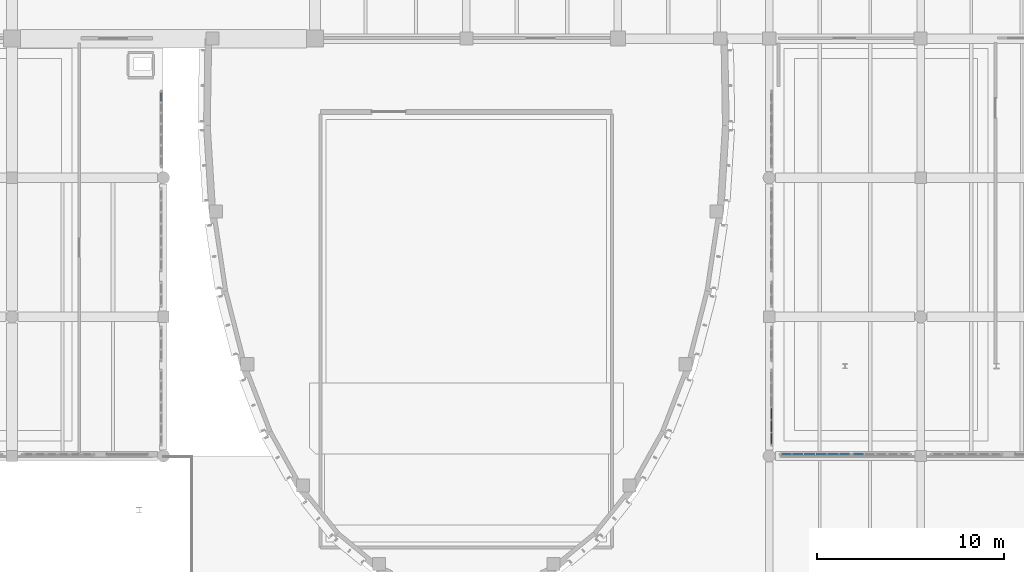
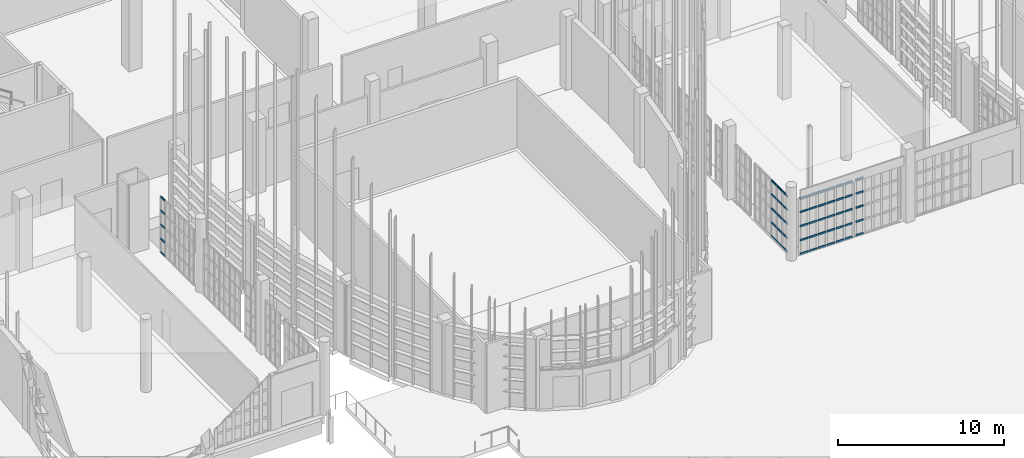
# One storey, part 304 of 372: 55 members, 4 elements without a shape of their own.
"""IFC4 building model written with IfcOpenShell, lengths in metres."""

from ifc_helpers import new_model, si_unit, direction, frame, origin, origin_2d, place, context, subcontext, project, spatial, hollow_rectangle, extrude, material, material_profile, profile_set, type_object, element, aggregate, save


model = new_model("IFC4")

# Units and contexts
model_context = context("Model", 3, precision=1e-05, world=origin(), true_north=direction((0.0, 1.0)))
body_context = subcontext(model_context, "Body", "Model", "MODEL_VIEW")
ifc_project = project(units=[si_unit("LENGTHUNIT", "METRE"), si_unit("AREAUNIT", "SQUARE_METRE"), si_unit("VOLUMEUNIT", "CUBIC_METRE"), si_unit("PLANEANGLEUNIT", "RADIAN"), si_unit("MASSUNIT", "GRAM", prefix="KILO")], contexts=[model_context])

# Site, building, storey
site_placement = place(None, origin())
site = spatial("IfcSite", under=ifc_project, at=site_placement, CompositionType="ELEMENT")
building_placement = place(site_placement, origin())
building = spatial("IfcBuilding", under=site, at=building_placement, Name="Kaelora Sail Theatre", CompositionType="ELEMENT")
storey_placement = place(building_placement, origin())
storey = spatial("IfcBuildingStorey", under=building, at=storey_placement, Name="L00", CompositionType="ELEMENT", Elevation=0.0)

# Curtain wall, members
ifc_material_1 = material(Name="Anodised aluminium and solar-control low-E IGU", Category="aluminium")
curtain_wall_type_1 = type_object("IfcCurtainWallType", Name="ARC-CW-CW-FOY1", PredefinedType="NOTDEFINED", material=ifc_material_1)
curtain_wall_1_placement = place(storey_placement, origin())
curtain_wall_1 = element("IfcCurtainWall", 1, at=curtain_wall_1_placement, inside=storey, type_object=curtain_wall_type_1, Name="West Interstitial Foyer East Glazed Return L00-04", PredefinedType="NOTDEFINED")
ifc_material_2 = material(Name="Anodised aluminium 6063-T6", Category="aluminium")
ifc_material_profile = material_profile(ifc_material_2, hollow_rectangle(XDim=0.070068359375, YDim=0.139892578125, WallThickness=0.00390625, InnerFilletRadius=0.00390625, OuterFilletRadius=0.008056640625, at=origin_2d()), Name="ALU-TRAN 70x140x4")
ifc_profile_set = profile_set([ifc_material_profile], Name="Anodised aluminium 6063-T6")
member_type = type_object("IfcMemberType", Name="ARC-MEM-TR-140", PredefinedType="USERDEFINED", material=ifc_profile_set)
member_1_placement = place(storey_placement, frame((74.280029296875, 57.653564453125, 0.034912109375), z_axis=(0.0, 1.0, 0.0), x_axis=(-1.0, 0.0, 0.0)))
member_1 = element("IfcMember", 2, at=member_1_placement, type_object=member_type, Name="CW-FOY1 transom 7.1", ObjectType="TRANSOM", PredefinedType="USERDEFINED", context=body_context, shape_type="SweptSolid", body=[
    extrude(hollow_rectangle(XDim=0.070068359375, YDim=0.139892578125, WallThickness=0.00390625, InnerFilletRadius=0.00390625, OuterFilletRadius=0.008056640625, at=origin_2d()), origin(), (0.0, 0.0, 1.0), 0.486328125),
])
member_2_placement = place(storey_placement, frame((74.280029296875, 57.653564453125, 1.0341796875), z_axis=(0.0, 1.0, 0.0), x_axis=(-1.0, 0.0, 0.0)))
member_2 = element("IfcMember", 3, at=member_2_placement, type_object=member_type, Name="CW-FOY1 transom 7.2", ObjectType="TRANSOM", PredefinedType="USERDEFINED", context=body_context, shape_type="SweptSolid", body=[
    extrude(hollow_rectangle(XDim=0.070068359375, YDim=0.139892578125, WallThickness=0.00390625, InnerFilletRadius=0.00390625, OuterFilletRadius=0.008056640625, at=origin_2d()), origin(), (0.0, 0.0, 1.0), 0.486328125),
])
member_3_placement = place(storey_placement, frame((74.280029296875, 57.653564453125, 2.068603515625), z_axis=(0.0, 1.0, 0.0), x_axis=(-1.0, 0.0, 0.0)))
member_3 = element("IfcMember", 4, at=member_3_placement, type_object=member_type, Name="CW-FOY1 transom 7.3", ObjectType="TRANSOM", PredefinedType="USERDEFINED", context=body_context, shape_type="SweptSolid", body=[
    extrude(hollow_rectangle(XDim=0.070068359375, YDim=0.139892578125, WallThickness=0.00390625, InnerFilletRadius=0.00390625, OuterFilletRadius=0.008056640625, at=origin_2d()), origin(), (0.0, 0.0, 1.0), 0.486328125),
])
member_4_placement = place(storey_placement, frame((74.280029296875, 57.653564453125, 3.102783203125), z_axis=(0.0, 1.0, 0.0), x_axis=(-1.0, 0.0, 0.0)))
member_4 = element("IfcMember", 5, at=member_4_placement, type_object=member_type, Name="CW-FOY1 transom 7.4", ObjectType="TRANSOM", PredefinedType="USERDEFINED", context=body_context, shape_type="SweptSolid", body=[
    extrude(hollow_rectangle(XDim=0.070068359375, YDim=0.139892578125, WallThickness=0.00390625, InnerFilletRadius=0.00390625, OuterFilletRadius=0.008056640625, at=origin_2d()), origin(), (0.0, 0.0, 1.0), 0.486328125),
])
member_5_placement = place(storey_placement, frame((74.280029296875, 57.653564453125, 4.10205078125), z_axis=(0.0, 1.0, 0.0), x_axis=(-1.0, 0.0, 0.0)))
member_5 = element("IfcMember", 6, at=member_5_placement, type_object=member_type, Name="CW-FOY1 transom 7.5", ObjectType="TRANSOM", PredefinedType="USERDEFINED", context=body_context, shape_type="SweptSolid", body=[
    extrude(hollow_rectangle(XDim=0.070068359375, YDim=0.139892578125, WallThickness=0.00390625, InnerFilletRadius=0.00390625, OuterFilletRadius=0.008056640625, at=origin_2d()), origin(), (0.0, 0.0, 1.0), 0.486328125),
])
aggregate(curtain_wall_1, [member_1, member_2, member_3, member_4, member_5])

ifc_material_3 = material(Name="Anodised aluminium and solar-control low-E IGU", Category="aluminium")
curtain_wall_type_2 = type_object("IfcCurtainWallType", Name="ARC-CW-CW-FOY2", PredefinedType="NOTDEFINED", material=ifc_material_3)
curtain_wall_2_placement = place(storey_placement, origin())
curtain_wall_2 = element("IfcCurtainWall", 7, at=curtain_wall_2_placement, inside=storey, type_object=curtain_wall_type_2, Name="East Interstitial Sail Foyer Curtain Wall L00-01", PredefinedType="NOTDEFINED")
member_6_placement = place(storey_placement, frame((107.445068359375, 38.7900390625, 0.034912109375), z_axis=(1.0, 0.0, 0.0), x_axis=(0.0, 1.0, 0.0)))
member_6 = element("IfcMember", 8, at=member_6_placement, type_object=member_type, Name="CW-FOY2 transom 1.1", ObjectType="TRANSOM", PredefinedType="USERDEFINED", context=body_context, shape_type="SweptSolid", body=[
    extrude(hollow_rectangle(XDim=0.070068359375, YDim=0.139892578125, WallThickness=0.00390625, InnerFilletRadius=0.00390625, OuterFilletRadius=0.008056640625, at=origin_2d()), origin(), (0.0, 0.0, 1.0), 0.537353515625),
])
member_7_placement = place(storey_placement, frame((107.445068359375, 38.7900390625, 1.0341796875), z_axis=(1.0, 0.0, 0.0), x_axis=(0.0, 1.0, 0.0)))
member_7 = element("IfcMember", 9, at=member_7_placement, type_object=member_type, Name="CW-FOY2 transom 1.2", ObjectType="TRANSOM", PredefinedType="USERDEFINED", context=body_context, shape_type="SweptSolid", body=[
    extrude(hollow_rectangle(XDim=0.070068359375, YDim=0.139892578125, WallThickness=0.00390625, InnerFilletRadius=0.00390625, OuterFilletRadius=0.008056640625, at=origin_2d()), origin(), (0.0, 0.0, 1.0), 0.537353515625),
])
member_8_placement = place(storey_placement, frame((107.445068359375, 38.7900390625, 2.068603515625), z_axis=(1.0, 0.0, 0.0), x_axis=(0.0, 1.0, 0.0)))
member_8 = element("IfcMember", 10, at=member_8_placement, type_object=member_type, Name="CW-FOY2 transom 1.3", ObjectType="TRANSOM", PredefinedType="USERDEFINED", context=body_context, shape_type="SweptSolid", body=[
    extrude(hollow_rectangle(XDim=0.070068359375, YDim=0.139892578125, WallThickness=0.00390625, InnerFilletRadius=0.00390625, OuterFilletRadius=0.008056640625, at=origin_2d()), origin(), (0.0, 0.0, 1.0), 0.537353515625),
])
member_9_placement = place(storey_placement, frame((107.445068359375, 38.7900390625, 3.102783203125), z_axis=(1.0, 0.0, 0.0), x_axis=(0.0, 1.0, 0.0)))
member_9 = element("IfcMember", 11, at=member_9_placement, type_object=member_type, Name="CW-FOY2 transom 1.4", ObjectType="TRANSOM", PredefinedType="USERDEFINED", context=body_context, shape_type="SweptSolid", body=[
    extrude(hollow_rectangle(XDim=0.070068359375, YDim=0.139892578125, WallThickness=0.00390625, InnerFilletRadius=0.00390625, OuterFilletRadius=0.008056640625, at=origin_2d()), origin(), (0.0, 0.0, 1.0), 0.537353515625),
])
member_10_placement = place(storey_placement, frame((107.445068359375, 38.7900390625, 4.10205078125), z_axis=(1.0, 0.0, 0.0), x_axis=(0.0, 1.0, 0.0)))
member_10 = element("IfcMember", 12, at=member_10_placement, type_object=member_type, Name="CW-FOY2 transom 1.5", ObjectType="TRANSOM", PredefinedType="USERDEFINED", context=body_context, shape_type="SweptSolid", body=[
    extrude(hollow_rectangle(XDim=0.070068359375, YDim=0.139892578125, WallThickness=0.00390625, InnerFilletRadius=0.00390625, OuterFilletRadius=0.008056640625, at=origin_2d()), origin(), (0.0, 0.0, 1.0), 0.537353515625),
])
member_11_placement = place(storey_placement, frame((108.04248046875, 38.7900390625, 0.034912109375), z_axis=(1.0, 0.0, 0.0), x_axis=(0.0, 1.0, 0.0)))
member_11 = element("IfcMember", 13, at=member_11_placement, type_object=member_type, Name="CW-FOY2 transom 2.1", ObjectType="TRANSOM", PredefinedType="USERDEFINED", context=body_context, shape_type="SweptSolid", body=[
    extrude(hollow_rectangle(XDim=0.070068359375, YDim=0.139892578125, WallThickness=0.00390625, InnerFilletRadius=0.00390625, OuterFilletRadius=0.008056640625, at=origin_2d()), origin(), (0.0, 0.0, 1.0), 0.567626953125),
])
member_12_placement = place(storey_placement, frame((108.04248046875, 38.7900390625, 1.0341796875), z_axis=(1.0, 0.0, 0.0), x_axis=(0.0, 1.0, 0.0)))
member_12 = element("IfcMember", 14, at=member_12_placement, type_object=member_type, Name="CW-FOY2 transom 2.2", ObjectType="TRANSOM", PredefinedType="USERDEFINED", context=body_context, shape_type="SweptSolid", body=[
    extrude(hollow_rectangle(XDim=0.070068359375, YDim=0.139892578125, WallThickness=0.00390625, InnerFilletRadius=0.00390625, OuterFilletRadius=0.008056640625, at=origin_2d()), origin(), (0.0, 0.0, 1.0), 0.567626953125),
])
member_13_placement = place(storey_placement, frame((108.04248046875, 38.7900390625, 2.068603515625), z_axis=(1.0, 0.0, 0.0), x_axis=(0.0, 1.0, 0.0)))
member_13 = element("IfcMember", 15, at=member_13_placement, type_object=member_type, Name="CW-FOY2 transom 2.3", ObjectType="TRANSOM", PredefinedType="USERDEFINED", context=body_context, shape_type="SweptSolid", body=[
    extrude(hollow_rectangle(XDim=0.070068359375, YDim=0.139892578125, WallThickness=0.00390625, InnerFilletRadius=0.00390625, OuterFilletRadius=0.008056640625, at=origin_2d()), origin(), (0.0, 0.0, 1.0), 0.567626953125),
])
member_14_placement = place(storey_placement, frame((108.04248046875, 38.7900390625, 3.102783203125), z_axis=(1.0, 0.0, 0.0), x_axis=(0.0, 1.0, 0.0)))
member_14 = element("IfcMember", 16, at=member_14_placement, type_object=member_type, Name="CW-FOY2 transom 2.4", ObjectType="TRANSOM", PredefinedType="USERDEFINED", context=body_context, shape_type="SweptSolid", body=[
    extrude(hollow_rectangle(XDim=0.070068359375, YDim=0.139892578125, WallThickness=0.00390625, InnerFilletRadius=0.00390625, OuterFilletRadius=0.008056640625, at=origin_2d()), origin(), (0.0, 0.0, 1.0), 0.567626953125),
])
member_15_placement = place(storey_placement, frame((108.04248046875, 38.7900390625, 4.10205078125), z_axis=(1.0, 0.0, 0.0), x_axis=(0.0, 1.0, 0.0)))
member_15 = element("IfcMember", 17, at=member_15_placement, type_object=member_type, Name="CW-FOY2 transom 2.5", ObjectType="TRANSOM", PredefinedType="USERDEFINED", context=body_context, shape_type="SweptSolid", body=[
    extrude(hollow_rectangle(XDim=0.070068359375, YDim=0.139892578125, WallThickness=0.00390625, InnerFilletRadius=0.00390625, OuterFilletRadius=0.008056640625, at=origin_2d()), origin(), (0.0, 0.0, 1.0), 0.567626953125),
])
member_16_placement = place(storey_placement, frame((108.669921875, 38.7900390625, 0.034912109375), z_axis=(1.0, 0.0, 0.0), x_axis=(0.0, 1.0, 0.0)))
member_16 = element("IfcMember", 18, at=member_16_placement, type_object=member_type, Name="CW-FOY2 transom 3.1", ObjectType="TRANSOM", PredefinedType="USERDEFINED", context=body_context, shape_type="SweptSolid", body=[
    extrude(hollow_rectangle(XDim=0.070068359375, YDim=0.139892578125, WallThickness=0.00390625, InnerFilletRadius=0.00390625, OuterFilletRadius=0.008056640625, at=origin_2d()), origin(), (0.0, 0.0, 1.0), 0.567626953125),
])
member_17_placement = place(storey_placement, frame((108.669921875, 38.7900390625, 1.0341796875), z_axis=(1.0, 0.0, 0.0), x_axis=(0.0, 1.0, 0.0)))
member_17 = element("IfcMember", 19, at=member_17_placement, type_object=member_type, Name="CW-FOY2 transom 3.2", ObjectType="TRANSOM", PredefinedType="USERDEFINED", context=body_context, shape_type="SweptSolid", body=[
    extrude(hollow_rectangle(XDim=0.070068359375, YDim=0.139892578125, WallThickness=0.00390625, InnerFilletRadius=0.00390625, OuterFilletRadius=0.008056640625, at=origin_2d()), origin(), (0.0, 0.0, 1.0), 0.567626953125),
])
member_18_placement = place(storey_placement, frame((108.669921875, 38.7900390625, 2.068603515625), z_axis=(1.0, 0.0, 0.0), x_axis=(0.0, 1.0, 0.0)))
member_18 = element("IfcMember", 20, at=member_18_placement, type_object=member_type, Name="CW-FOY2 transom 3.3", ObjectType="TRANSOM", PredefinedType="USERDEFINED", context=body_context, shape_type="SweptSolid", body=[
    extrude(hollow_rectangle(XDim=0.070068359375, YDim=0.139892578125, WallThickness=0.00390625, InnerFilletRadius=0.00390625, OuterFilletRadius=0.008056640625, at=origin_2d()), origin(), (0.0, 0.0, 1.0), 0.567626953125),
])
member_19_placement = place(storey_placement, frame((108.669921875, 38.7900390625, 3.102783203125), z_axis=(1.0, 0.0, 0.0), x_axis=(0.0, 1.0, 0.0)))
member_19 = element("IfcMember", 21, at=member_19_placement, type_object=member_type, Name="CW-FOY2 transom 3.4", ObjectType="TRANSOM", PredefinedType="USERDEFINED", context=body_context, shape_type="SweptSolid", body=[
    extrude(hollow_rectangle(XDim=0.070068359375, YDim=0.139892578125, WallThickness=0.00390625, InnerFilletRadius=0.00390625, OuterFilletRadius=0.008056640625, at=origin_2d()), origin(), (0.0, 0.0, 1.0), 0.567626953125),
])
member_20_placement = place(storey_placement, frame((108.669921875, 38.7900390625, 4.10205078125), z_axis=(1.0, 0.0, 0.0), x_axis=(0.0, 1.0, 0.0)))
member_20 = element("IfcMember", 22, at=member_20_placement, type_object=member_type, Name="CW-FOY2 transom 3.5", ObjectType="TRANSOM", PredefinedType="USERDEFINED", context=body_context, shape_type="SweptSolid", body=[
    extrude(hollow_rectangle(XDim=0.070068359375, YDim=0.139892578125, WallThickness=0.00390625, InnerFilletRadius=0.00390625, OuterFilletRadius=0.008056640625, at=origin_2d()), origin(), (0.0, 0.0, 1.0), 0.567626953125),
])
member_21_placement = place(storey_placement, frame((109.297607421875, 38.7900390625, 0.034912109375), z_axis=(1.0, 0.0, 0.0), x_axis=(0.0, 1.0, 0.0)))
member_21 = element("IfcMember", 23, at=member_21_placement, type_object=member_type, Name="CW-FOY2 transom 4.1", ObjectType="TRANSOM", PredefinedType="USERDEFINED", context=body_context, shape_type="SweptSolid", body=[
    extrude(hollow_rectangle(XDim=0.070068359375, YDim=0.139892578125, WallThickness=0.00390625, InnerFilletRadius=0.00390625, OuterFilletRadius=0.008056640625, at=origin_2d()), origin(), (0.0, 0.0, 1.0), 0.5673828125),
])
member_22_placement = place(storey_placement, frame((109.297607421875, 38.7900390625, 1.0341796875), z_axis=(1.0, 0.0, 0.0), x_axis=(0.0, 1.0, 0.0)))
member_22 = element("IfcMember", 24, at=member_22_placement, type_object=member_type, Name="CW-FOY2 transom 4.2", ObjectType="TRANSOM", PredefinedType="USERDEFINED", context=body_context, shape_type="SweptSolid", body=[
    extrude(hollow_rectangle(XDim=0.070068359375, YDim=0.139892578125, WallThickness=0.00390625, InnerFilletRadius=0.00390625, OuterFilletRadius=0.008056640625, at=origin_2d()), origin(), (0.0, 0.0, 1.0), 0.5673828125),
])
member_23_placement = place(storey_placement, frame((109.297607421875, 38.7900390625, 2.068603515625), z_axis=(1.0, 0.0, 0.0), x_axis=(0.0, 1.0, 0.0)))
member_23 = element("IfcMember", 25, at=member_23_placement, type_object=member_type, Name="CW-FOY2 transom 4.3", ObjectType="TRANSOM", PredefinedType="USERDEFINED", context=body_context, shape_type="SweptSolid", body=[
    extrude(hollow_rectangle(XDim=0.070068359375, YDim=0.139892578125, WallThickness=0.00390625, InnerFilletRadius=0.00390625, OuterFilletRadius=0.008056640625, at=origin_2d()), origin(), (0.0, 0.0, 1.0), 0.5673828125),
])
member_24_placement = place(storey_placement, frame((109.297607421875, 38.7900390625, 3.102783203125), z_axis=(1.0, 0.0, 0.0), x_axis=(0.0, 1.0, 0.0)))
member_24 = element("IfcMember", 26, at=member_24_placement, type_object=member_type, Name="CW-FOY2 transom 4.4", ObjectType="TRANSOM", PredefinedType="USERDEFINED", context=body_context, shape_type="SweptSolid", body=[
    extrude(hollow_rectangle(XDim=0.070068359375, YDim=0.139892578125, WallThickness=0.00390625, InnerFilletRadius=0.00390625, OuterFilletRadius=0.008056640625, at=origin_2d()), origin(), (0.0, 0.0, 1.0), 0.5673828125),
])
member_25_placement = place(storey_placement, frame((109.297607421875, 38.7900390625, 4.10205078125), z_axis=(1.0, 0.0, 0.0), x_axis=(0.0, 1.0, 0.0)))
member_25 = element("IfcMember", 27, at=member_25_placement, type_object=member_type, Name="CW-FOY2 transom 4.5", ObjectType="TRANSOM", PredefinedType="USERDEFINED", context=body_context, shape_type="SweptSolid", body=[
    extrude(hollow_rectangle(XDim=0.070068359375, YDim=0.139892578125, WallThickness=0.00390625, InnerFilletRadius=0.00390625, OuterFilletRadius=0.008056640625, at=origin_2d()), origin(), (0.0, 0.0, 1.0), 0.5673828125),
])
member_26_placement = place(storey_placement, frame((109.925048828125, 38.7900390625, 0.034912109375), z_axis=(1.0, 0.0, 0.0), x_axis=(0.0, 1.0, 0.0)))
member_26 = element("IfcMember", 28, at=member_26_placement, type_object=member_type, Name="CW-FOY2 transom 5.1", ObjectType="TRANSOM", PredefinedType="USERDEFINED", context=body_context, shape_type="SweptSolid", body=[
    extrude(hollow_rectangle(XDim=0.070068359375, YDim=0.139892578125, WallThickness=0.00390625, InnerFilletRadius=0.00390625, OuterFilletRadius=0.008056640625, at=origin_2d()), origin(), (0.0, 0.0, 1.0), 0.5673828125),
])
member_27_placement = place(storey_placement, frame((109.925048828125, 38.7900390625, 1.0341796875), z_axis=(1.0, 0.0, 0.0), x_axis=(0.0, 1.0, 0.0)))
member_27 = element("IfcMember", 29, at=member_27_placement, type_object=member_type, Name="CW-FOY2 transom 5.2", ObjectType="TRANSOM", PredefinedType="USERDEFINED", context=body_context, shape_type="SweptSolid", body=[
    extrude(hollow_rectangle(XDim=0.070068359375, YDim=0.139892578125, WallThickness=0.00390625, InnerFilletRadius=0.00390625, OuterFilletRadius=0.008056640625, at=origin_2d()), origin(), (0.0, 0.0, 1.0), 0.5673828125),
])
member_28_placement = place(storey_placement, frame((109.925048828125, 38.7900390625, 2.068603515625), z_axis=(1.0, 0.0, 0.0), x_axis=(0.0, 1.0, 0.0)))
member_28 = element("IfcMember", 30, at=member_28_placement, type_object=member_type, Name="CW-FOY2 transom 5.3", ObjectType="TRANSOM", PredefinedType="USERDEFINED", context=body_context, shape_type="SweptSolid", body=[
    extrude(hollow_rectangle(XDim=0.070068359375, YDim=0.139892578125, WallThickness=0.00390625, InnerFilletRadius=0.00390625, OuterFilletRadius=0.008056640625, at=origin_2d()), origin(), (0.0, 0.0, 1.0), 0.5673828125),
])
member_29_placement = place(storey_placement, frame((109.925048828125, 38.7900390625, 3.102783203125), z_axis=(1.0, 0.0, 0.0), x_axis=(0.0, 1.0, 0.0)))
member_29 = element("IfcMember", 31, at=member_29_placement, type_object=member_type, Name="CW-FOY2 transom 5.4", ObjectType="TRANSOM", PredefinedType="USERDEFINED", context=body_context, shape_type="SweptSolid", body=[
    extrude(hollow_rectangle(XDim=0.070068359375, YDim=0.139892578125, WallThickness=0.00390625, InnerFilletRadius=0.00390625, OuterFilletRadius=0.008056640625, at=origin_2d()), origin(), (0.0, 0.0, 1.0), 0.5673828125),
])
member_30_placement = place(storey_placement, frame((109.925048828125, 38.7900390625, 4.10205078125), z_axis=(1.0, 0.0, 0.0), x_axis=(0.0, 1.0, 0.0)))
member_30 = element("IfcMember", 32, at=member_30_placement, type_object=member_type, Name="CW-FOY2 transom 5.5", ObjectType="TRANSOM", PredefinedType="USERDEFINED", context=body_context, shape_type="SweptSolid", body=[
    extrude(hollow_rectangle(XDim=0.070068359375, YDim=0.139892578125, WallThickness=0.00390625, InnerFilletRadius=0.00390625, OuterFilletRadius=0.008056640625, at=origin_2d()), origin(), (0.0, 0.0, 1.0), 0.5673828125),
])
member_31_placement = place(storey_placement, frame((110.552490234375, 38.7900390625, 0.034912109375), z_axis=(1.0, 0.0, 0.0), x_axis=(0.0, 1.0, 0.0)))
member_31 = element("IfcMember", 33, at=member_31_placement, type_object=member_type, Name="CW-FOY2 transom 6.1", ObjectType="TRANSOM", PredefinedType="USERDEFINED", context=body_context, shape_type="SweptSolid", body=[
    extrude(hollow_rectangle(XDim=0.070068359375, YDim=0.139892578125, WallThickness=0.00390625, InnerFilletRadius=0.00390625, OuterFilletRadius=0.008056640625, at=origin_2d()), origin(), (0.0, 0.0, 1.0), 0.53759765625),
])
member_32_placement = place(storey_placement, frame((110.552490234375, 38.7900390625, 1.0341796875), z_axis=(1.0, 0.0, 0.0), x_axis=(0.0, 1.0, 0.0)))
member_32 = element("IfcMember", 34, at=member_32_placement, type_object=member_type, Name="CW-FOY2 transom 6.2", ObjectType="TRANSOM", PredefinedType="USERDEFINED", context=body_context, shape_type="SweptSolid", body=[
    extrude(hollow_rectangle(XDim=0.070068359375, YDim=0.139892578125, WallThickness=0.00390625, InnerFilletRadius=0.00390625, OuterFilletRadius=0.008056640625, at=origin_2d()), origin(), (0.0, 0.0, 1.0), 0.53759765625),
])
member_33_placement = place(storey_placement, frame((110.552490234375, 38.7900390625, 2.068603515625), z_axis=(1.0, 0.0, 0.0), x_axis=(0.0, 1.0, 0.0)))
member_33 = element("IfcMember", 35, at=member_33_placement, type_object=member_type, Name="CW-FOY2 transom 6.3", ObjectType="TRANSOM", PredefinedType="USERDEFINED", context=body_context, shape_type="SweptSolid", body=[
    extrude(hollow_rectangle(XDim=0.070068359375, YDim=0.139892578125, WallThickness=0.00390625, InnerFilletRadius=0.00390625, OuterFilletRadius=0.008056640625, at=origin_2d()), origin(), (0.0, 0.0, 1.0), 0.53759765625),
])
member_34_placement = place(storey_placement, frame((110.552490234375, 38.7900390625, 3.102783203125), z_axis=(1.0, 0.0, 0.0), x_axis=(0.0, 1.0, 0.0)))
member_34 = element("IfcMember", 36, at=member_34_placement, type_object=member_type, Name="CW-FOY2 transom 6.4", ObjectType="TRANSOM", PredefinedType="USERDEFINED", context=body_context, shape_type="SweptSolid", body=[
    extrude(hollow_rectangle(XDim=0.070068359375, YDim=0.139892578125, WallThickness=0.00390625, InnerFilletRadius=0.00390625, OuterFilletRadius=0.008056640625, at=origin_2d()), origin(), (0.0, 0.0, 1.0), 0.53759765625),
])
member_35_placement = place(storey_placement, frame((110.552490234375, 38.7900390625, 4.10205078125), z_axis=(1.0, 0.0, 0.0), x_axis=(0.0, 1.0, 0.0)))
member_35 = element("IfcMember", 37, at=member_35_placement, type_object=member_type, Name="CW-FOY2 transom 6.5", ObjectType="TRANSOM", PredefinedType="USERDEFINED", context=body_context, shape_type="SweptSolid", body=[
    extrude(hollow_rectangle(XDim=0.070068359375, YDim=0.139892578125, WallThickness=0.00390625, InnerFilletRadius=0.00390625, OuterFilletRadius=0.008056640625, at=origin_2d()), origin(), (0.0, 0.0, 1.0), 0.53759765625),
])
aggregate(curtain_wall_2, [member_6, member_7, member_8, member_9, member_10, member_11, member_12, member_13, member_14, member_15, member_16, member_17, member_18, member_19, member_20, member_21, member_22, member_23, member_24, member_25, member_26, member_27, member_28, member_29, member_30, member_31, member_32, member_33, member_34, member_35])

curtain_wall_3_placement = place(storey_placement, origin())
curtain_wall_3 = element("IfcCurtainWall", 38, at=curtain_wall_3_placement, inside=storey, type_object=curtain_wall_type_2, Name="East Interstitial Sail Foyer Curtain Wall L00-02", PredefinedType="NOTDEFINED")
member_36_placement = place(storey_placement, frame((111.31005859375, 38.7900390625, 0.034912109375), z_axis=(1.0, 0.0, 0.0), x_axis=(0.0, 1.0, 0.0)))
member_36 = element("IfcMember", 39, at=member_36_placement, type_object=member_type, Name="CW-FOY2 transom 1.1", ObjectType="TRANSOM", PredefinedType="USERDEFINED", context=body_context, shape_type="SweptSolid", body=[
    extrude(hollow_rectangle(XDim=0.070068359375, YDim=0.139892578125, WallThickness=0.00390625, InnerFilletRadius=0.00390625, OuterFilletRadius=0.008056640625, at=origin_2d()), origin(), (0.0, 0.0, 1.0), 0.52783203125),
])
member_37_placement = place(storey_placement, frame((111.31005859375, 38.7900390625, 1.0341796875), z_axis=(1.0, 0.0, 0.0), x_axis=(0.0, 1.0, 0.0)))
member_37 = element("IfcMember", 40, at=member_37_placement, type_object=member_type, Name="CW-FOY2 transom 1.2", ObjectType="TRANSOM", PredefinedType="USERDEFINED", context=body_context, shape_type="SweptSolid", body=[
    extrude(hollow_rectangle(XDim=0.070068359375, YDim=0.139892578125, WallThickness=0.00390625, InnerFilletRadius=0.00390625, OuterFilletRadius=0.008056640625, at=origin_2d()), origin(), (0.0, 0.0, 1.0), 0.52783203125),
])
member_38_placement = place(storey_placement, frame((111.31005859375, 38.7900390625, 2.068603515625), z_axis=(1.0, 0.0, 0.0), x_axis=(0.0, 1.0, 0.0)))
member_38 = element("IfcMember", 41, at=member_38_placement, type_object=member_type, Name="CW-FOY2 transom 1.3", ObjectType="TRANSOM", PredefinedType="USERDEFINED", context=body_context, shape_type="SweptSolid", body=[
    extrude(hollow_rectangle(XDim=0.070068359375, YDim=0.139892578125, WallThickness=0.00390625, InnerFilletRadius=0.00390625, OuterFilletRadius=0.008056640625, at=origin_2d()), origin(), (0.0, 0.0, 1.0), 0.52783203125),
])
member_39_placement = place(storey_placement, frame((111.31005859375, 38.7900390625, 3.102783203125), z_axis=(1.0, 0.0, 0.0), x_axis=(0.0, 1.0, 0.0)))
member_39 = element("IfcMember", 42, at=member_39_placement, type_object=member_type, Name="CW-FOY2 transom 1.4", ObjectType="TRANSOM", PredefinedType="USERDEFINED", context=body_context, shape_type="SweptSolid", body=[
    extrude(hollow_rectangle(XDim=0.070068359375, YDim=0.139892578125, WallThickness=0.00390625, InnerFilletRadius=0.00390625, OuterFilletRadius=0.008056640625, at=origin_2d()), origin(), (0.0, 0.0, 1.0), 0.52783203125),
])
member_40_placement = place(storey_placement, frame((111.31005859375, 38.7900390625, 4.10205078125), z_axis=(1.0, 0.0, 0.0), x_axis=(0.0, 1.0, 0.0)))
member_40 = element("IfcMember", 43, at=member_40_placement, type_object=member_type, Name="CW-FOY2 transom 1.5", ObjectType="TRANSOM", PredefinedType="USERDEFINED", context=body_context, shape_type="SweptSolid", body=[
    extrude(hollow_rectangle(XDim=0.070068359375, YDim=0.139892578125, WallThickness=0.00390625, InnerFilletRadius=0.00390625, OuterFilletRadius=0.008056640625, at=origin_2d()), origin(), (0.0, 0.0, 1.0), 0.52783203125),
])
aggregate(curtain_wall_3, [member_36, member_37, member_38, member_39, member_40])

curtain_wall_4_placement = place(storey_placement, origin())
curtain_wall_4 = element("IfcCurtainWall", 44, at=curtain_wall_4_placement, inside=storey, type_object=curtain_wall_type_2, Name="East Interstitial Foyer West Glazed Return L00-01", PredefinedType="NOTDEFINED")
member_41_placement = place(storey_placement, frame((106.919921875, 39.344970703125, 0.034912109375), z_axis=(0.0, 1.0, 0.0), x_axis=(-1.0, 0.0, 0.0)))
member_41 = element("IfcMember", 45, at=member_41_placement, type_object=member_type, Name="CW-FOY2 transom 1.1", ObjectType="TRANSOM", PredefinedType="USERDEFINED", context=body_context, shape_type="SweptSolid", body=[
    extrude(hollow_rectangle(XDim=0.070068359375, YDim=0.139892578125, WallThickness=0.00390625, InnerFilletRadius=0.00390625, OuterFilletRadius=0.008056640625, at=origin_2d()), origin(), (0.0, 0.0, 1.0), 0.5791015625),
])
member_42_placement = place(storey_placement, frame((106.919921875, 39.344970703125, 1.0341796875), z_axis=(0.0, 1.0, 0.0), x_axis=(-1.0, 0.0, 0.0)))
member_42 = element("IfcMember", 46, at=member_42_placement, type_object=member_type, Name="CW-FOY2 transom 1.2", ObjectType="TRANSOM", PredefinedType="USERDEFINED", context=body_context, shape_type="SweptSolid", body=[
    extrude(hollow_rectangle(XDim=0.070068359375, YDim=0.139892578125, WallThickness=0.00390625, InnerFilletRadius=0.00390625, OuterFilletRadius=0.008056640625, at=origin_2d()), origin(), (0.0, 0.0, 1.0), 0.5791015625),
])
member_43_placement = place(storey_placement, frame((106.919921875, 39.344970703125, 2.068603515625), z_axis=(0.0, 1.0, 0.0), x_axis=(-1.0, 0.0, 0.0)))
member_43 = element("IfcMember", 47, at=member_43_placement, type_object=member_type, Name="CW-FOY2 transom 1.3", ObjectType="TRANSOM", PredefinedType="USERDEFINED", context=body_context, shape_type="SweptSolid", body=[
    extrude(hollow_rectangle(XDim=0.070068359375, YDim=0.139892578125, WallThickness=0.00390625, InnerFilletRadius=0.00390625, OuterFilletRadius=0.008056640625, at=origin_2d()), origin(), (0.0, 0.0, 1.0), 0.5791015625),
])
member_44_placement = place(storey_placement, frame((106.919921875, 39.344970703125, 3.102783203125), z_axis=(0.0, 1.0, 0.0), x_axis=(-1.0, 0.0, 0.0)))
member_44 = element("IfcMember", 48, at=member_44_placement, type_object=member_type, Name="CW-FOY2 transom 1.4", ObjectType="TRANSOM", PredefinedType="USERDEFINED", context=body_context, shape_type="SweptSolid", body=[
    extrude(hollow_rectangle(XDim=0.070068359375, YDim=0.139892578125, WallThickness=0.00390625, InnerFilletRadius=0.00390625, OuterFilletRadius=0.008056640625, at=origin_2d()), origin(), (0.0, 0.0, 1.0), 0.5791015625),
])
member_45_placement = place(storey_placement, frame((106.919921875, 39.344970703125, 4.10205078125), z_axis=(0.0, 1.0, 0.0), x_axis=(-1.0, 0.0, 0.0)))
member_45 = element("IfcMember", 49, at=member_45_placement, type_object=member_type, Name="CW-FOY2 transom 1.5", ObjectType="TRANSOM", PredefinedType="USERDEFINED", context=body_context, shape_type="SweptSolid", body=[
    extrude(hollow_rectangle(XDim=0.070068359375, YDim=0.139892578125, WallThickness=0.00390625, InnerFilletRadius=0.00390625, OuterFilletRadius=0.008056640625, at=origin_2d()), origin(), (0.0, 0.0, 1.0), 0.5791015625),
])
member_46_placement = place(storey_placement, frame((106.919921875, 39.984130859375, 0.034912109375), z_axis=(0.0, 1.0, 0.0), x_axis=(-1.0, 0.0, 0.0)))
member_46 = element("IfcMember", 50, at=member_46_placement, type_object=member_type, Name="CW-FOY2 transom 2.1", ObjectType="TRANSOM", PredefinedType="USERDEFINED", context=body_context, shape_type="SweptSolid", body=[
    extrude(hollow_rectangle(XDim=0.070068359375, YDim=0.139892578125, WallThickness=0.00390625, InnerFilletRadius=0.00390625, OuterFilletRadius=0.008056640625, at=origin_2d()), origin(), (0.0, 0.0, 1.0), 0.609130859375),
])
member_47_placement = place(storey_placement, frame((106.919921875, 39.984130859375, 1.0341796875), z_axis=(0.0, 1.0, 0.0), x_axis=(-1.0, 0.0, 0.0)))
member_47 = element("IfcMember", 51, at=member_47_placement, type_object=member_type, Name="CW-FOY2 transom 2.2", ObjectType="TRANSOM", PredefinedType="USERDEFINED", context=body_context, shape_type="SweptSolid", body=[
    extrude(hollow_rectangle(XDim=0.070068359375, YDim=0.139892578125, WallThickness=0.00390625, InnerFilletRadius=0.00390625, OuterFilletRadius=0.008056640625, at=origin_2d()), origin(), (0.0, 0.0, 1.0), 0.609130859375),
])
member_48_placement = place(storey_placement, frame((106.919921875, 39.984130859375, 2.068603515625), z_axis=(0.0, 1.0, 0.0), x_axis=(-1.0, 0.0, 0.0)))
member_48 = element("IfcMember", 52, at=member_48_placement, type_object=member_type, Name="CW-FOY2 transom 2.3", ObjectType="TRANSOM", PredefinedType="USERDEFINED", context=body_context, shape_type="SweptSolid", body=[
    extrude(hollow_rectangle(XDim=0.070068359375, YDim=0.139892578125, WallThickness=0.00390625, InnerFilletRadius=0.00390625, OuterFilletRadius=0.008056640625, at=origin_2d()), origin(), (0.0, 0.0, 1.0), 0.609130859375),
])
member_49_placement = place(storey_placement, frame((106.919921875, 39.984130859375, 3.102783203125), z_axis=(0.0, 1.0, 0.0), x_axis=(-1.0, 0.0, 0.0)))
member_49 = element("IfcMember", 53, at=member_49_placement, type_object=member_type, Name="CW-FOY2 transom 2.4", ObjectType="TRANSOM", PredefinedType="USERDEFINED", context=body_context, shape_type="SweptSolid", body=[
    extrude(hollow_rectangle(XDim=0.070068359375, YDim=0.139892578125, WallThickness=0.00390625, InnerFilletRadius=0.00390625, OuterFilletRadius=0.008056640625, at=origin_2d()), origin(), (0.0, 0.0, 1.0), 0.609130859375),
])
member_50_placement = place(storey_placement, frame((106.919921875, 39.984130859375, 4.10205078125), z_axis=(0.0, 1.0, 0.0), x_axis=(-1.0, 0.0, 0.0)))
member_50 = element("IfcMember", 54, at=member_50_placement, type_object=member_type, Name="CW-FOY2 transom 2.5", ObjectType="TRANSOM", PredefinedType="USERDEFINED", context=body_context, shape_type="SweptSolid", body=[
    extrude(hollow_rectangle(XDim=0.070068359375, YDim=0.139892578125, WallThickness=0.00390625, InnerFilletRadius=0.00390625, OuterFilletRadius=0.008056640625, at=origin_2d()), origin(), (0.0, 0.0, 1.0), 0.609130859375),
])
member_51_placement = place(storey_placement, frame((106.919921875, 40.6533203125, 0.034912109375), z_axis=(0.0, 1.0, 0.0), x_axis=(-1.0, 0.0, 0.0)))
member_51 = element("IfcMember", 55, at=member_51_placement, type_object=member_type, Name="CW-FOY2 transom 3.1", ObjectType="TRANSOM", PredefinedType="USERDEFINED", context=body_context, shape_type="SweptSolid", body=[
    extrude(hollow_rectangle(XDim=0.070068359375, YDim=0.139892578125, WallThickness=0.00390625, InnerFilletRadius=0.00390625, OuterFilletRadius=0.008056640625, at=origin_2d()), origin(), (0.0, 0.0, 1.0), 0.609130859375),
])
member_52_placement = place(storey_placement, frame((106.919921875, 40.6533203125, 1.0341796875), z_axis=(0.0, 1.0, 0.0), x_axis=(-1.0, 0.0, 0.0)))
member_52 = element("IfcMember", 56, at=member_52_placement, type_object=member_type, Name="CW-FOY2 transom 3.2", ObjectType="TRANSOM", PredefinedType="USERDEFINED", context=body_context, shape_type="SweptSolid", body=[
    extrude(hollow_rectangle(XDim=0.070068359375, YDim=0.139892578125, WallThickness=0.00390625, InnerFilletRadius=0.00390625, OuterFilletRadius=0.008056640625, at=origin_2d()), origin(), (0.0, 0.0, 1.0), 0.609130859375),
])
member_53_placement = place(storey_placement, frame((106.919921875, 40.6533203125, 2.068603515625), z_axis=(0.0, 1.0, 0.0), x_axis=(-1.0, 0.0, 0.0)))
member_53 = element("IfcMember", 57, at=member_53_placement, type_object=member_type, Name="CW-FOY2 transom 3.3", ObjectType="TRANSOM", PredefinedType="USERDEFINED", context=body_context, shape_type="SweptSolid", body=[
    extrude(hollow_rectangle(XDim=0.070068359375, YDim=0.139892578125, WallThickness=0.00390625, InnerFilletRadius=0.00390625, OuterFilletRadius=0.008056640625, at=origin_2d()), origin(), (0.0, 0.0, 1.0), 0.609130859375),
])
member_54_placement = place(storey_placement, frame((106.919921875, 40.6533203125, 3.102783203125), z_axis=(0.0, 1.0, 0.0), x_axis=(-1.0, 0.0, 0.0)))
member_54 = element("IfcMember", 58, at=member_54_placement, type_object=member_type, Name="CW-FOY2 transom 3.4", ObjectType="TRANSOM", PredefinedType="USERDEFINED", context=body_context, shape_type="SweptSolid", body=[
    extrude(hollow_rectangle(XDim=0.070068359375, YDim=0.139892578125, WallThickness=0.00390625, InnerFilletRadius=0.00390625, OuterFilletRadius=0.008056640625, at=origin_2d()), origin(), (0.0, 0.0, 1.0), 0.609130859375),
])
member_55_placement = place(storey_placement, frame((106.919921875, 40.6533203125, 4.10205078125), z_axis=(0.0, 1.0, 0.0), x_axis=(-1.0, 0.0, 0.0)))
member_55 = element("IfcMember", 59, at=member_55_placement, type_object=member_type, Name="CW-FOY2 transom 3.5", ObjectType="TRANSOM", PredefinedType="USERDEFINED", context=body_context, shape_type="SweptSolid", body=[
    extrude(hollow_rectangle(XDim=0.070068359375, YDim=0.139892578125, WallThickness=0.00390625, InnerFilletRadius=0.00390625, OuterFilletRadius=0.008056640625, at=origin_2d()), origin(), (0.0, 0.0, 1.0), 0.609130859375),
])
aggregate(curtain_wall_4, [member_41, member_42, member_43, member_44, member_45, member_46, member_47, member_48, member_49, member_50, member_51, member_52, member_53, member_54, member_55])

save(model, "model.ifc")
